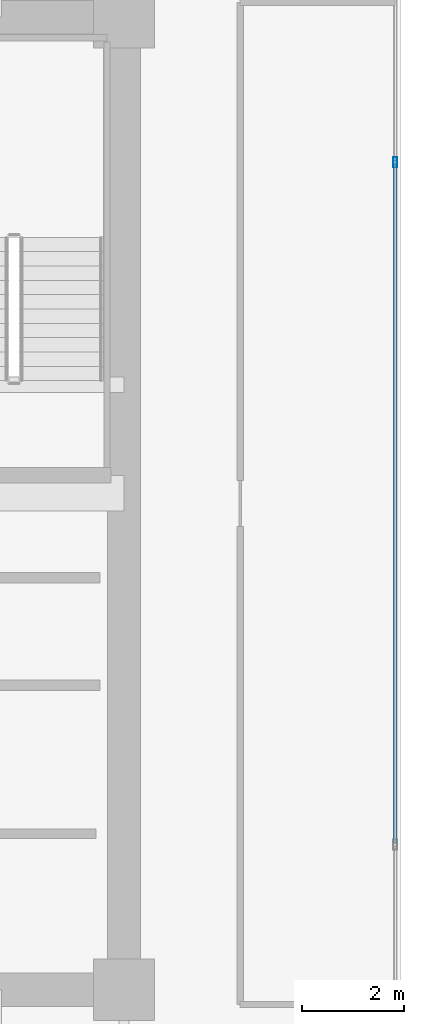
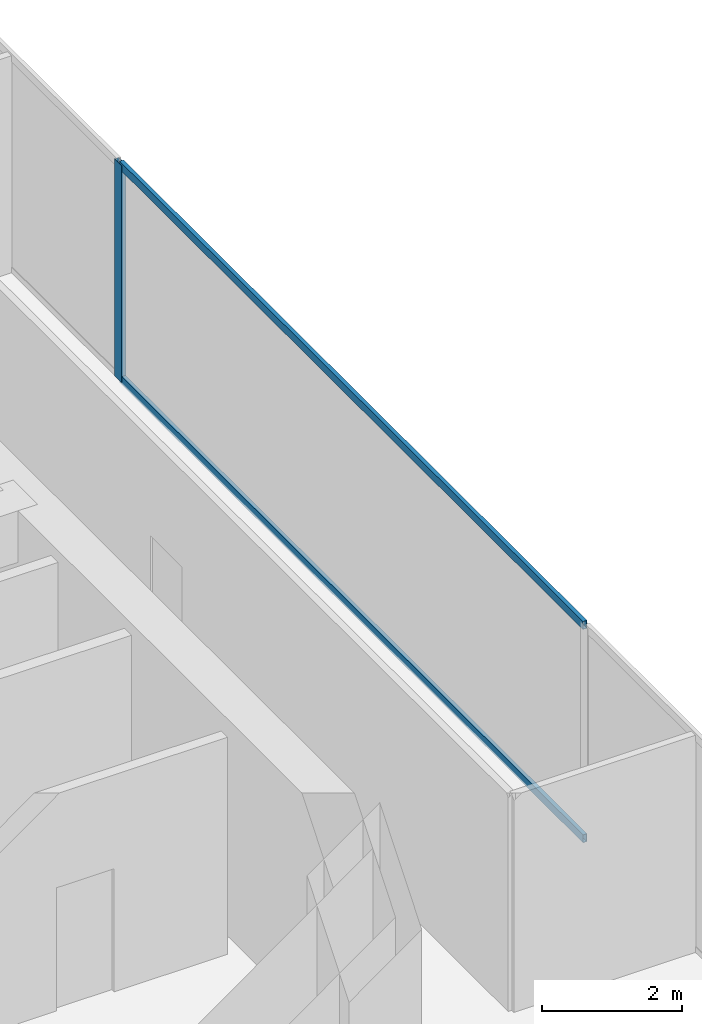
# One storey, part 22 of 30: 3 members, 1 element without a shape of its own.
"""IFC4 building model written with IfcOpenShell, lengths in metres."""

from ifc_helpers import new_model, si_unit, direction, frame, origin, origin_2d, place, context, subcontext, project, spatial, hollow_rectangle, extrude, source, transform, mapped, material, layer, layer_set, material_profile, profile_set, type_object, type_shapes, element, aggregate, save


model = new_model("IFC4")

# Units and contexts
model_context = context("Model", 3, precision=1e-05, world=origin(), true_north=direction((0.0, 1.0)))
body_context = subcontext(model_context, "Body", "Model", "MODEL_VIEW")
ifc_project = project(units=[si_unit("LENGTHUNIT", "METRE"), si_unit("AREAUNIT", "SQUARE_METRE"), si_unit("VOLUMEUNIT", "CUBIC_METRE"), si_unit("PLANEANGLEUNIT", "RADIAN"), si_unit("MASSUNIT", "GRAM", prefix="KILO")], contexts=[model_context])

# Site, building, storey
site_placement = place(None, origin())
site = spatial("IfcSite", under=ifc_project, at=site_placement, CompositionType="ELEMENT")
building_placement = place(site_placement, origin())
building = spatial("IfcBuilding", under=site, at=building_placement, Name="Haelvirn Gate Laboratories", CompositionType="ELEMENT")
storey_placement = place(building_placement, frame((0.0, 0.0, 129.699951171875)))
storey = spatial("IfcBuildingStorey", under=building, at=storey_placement, Name="L31", CompositionType="ELEMENT", Elevation=129.699951171875)

# Curtain wall, members
ifc_material_1 = material(Name="Anodised bronze unitised aluminium & triple low-E glass", Category="aluminium")
ifc_layer = layer(ifc_material_1, 0.179931640625, Name="CW-SYS-3")
ifc_layer_set = layer_set([ifc_layer], Name="Anodised bronze unitised aluminium & triple low-E glass")
curtain_wall_type = type_object("IfcCurtainWallType", Name="CW-SYS-3", PredefinedType="NOTDEFINED", material=ifc_layer_set)
curtain_wall_placement = place(storey_placement, origin())
curtain_wall = element("IfcCurtainWall", 1, at=curtain_wall_placement, inside=storey, type_object=curtain_wall_type, Name="L31 Unitised Curtain Wall CW-L31-P0-E07", PredefinedType="NOTDEFINED")
ifc_material_2 = material(Name="Extruded aluminium 6063-T6 (anodised bronze)", Category="aluminium")
ifc_material_profile_1 = material_profile(ifc_material_2, hollow_rectangle(XDim=0.06494140625, YDim=0.139892578125, WallThickness=0.00390625, at=origin_2d()), Name="CWT-140x65x4")
ifc_profile_set_1 = profile_set([ifc_material_profile_1], Name="Extruded aluminium 6063-T6 (anodised bronze)")
member_type_1 = type_object("IfcMemberType", Name="CWT-T140", PredefinedType="USERDEFINED", material=ifc_profile_set_1)
shared_shape_1 = source(origin(), body_context, "Body", "SweptSolid", [
    extrude(hollow_rectangle(XDim=0.06494140625, YDim=0.139892578125, WallThickness=0.00390625, at=origin_2d()), origin(), (0.0, 0.0, 1.0), 13.25830078125),
])
type_shapes(member_type_1, [shared_shape_1])
member_1_placement = place(storey_placement, frame((72.699951171875, 17.6708984375, 0.032470703125), z_axis=(0.0, 1.0, 0.0), x_axis=(-1.0, 0.0, 0.0)))
member_1 = element("IfcMember", 2, at=member_1_placement, type_object=member_type_1, Name="CW3 transom 2.1", ObjectType="TRANSOM", PredefinedType="USERDEFINED", context=body_context, shape_type="MappedRepresentation", body=[
    mapped(shared_shape_1, transform((0.0, 0.0, 0.0), scale=1.0)),
])
member_2_placement = place(storey_placement, frame((72.699951171875, 17.6708984375, 3.757568359375), z_axis=(0.0, 1.0, 0.0), x_axis=(-1.0, 0.0, 0.0)))
member_2 = element("IfcMember", 3, at=member_2_placement, type_object=member_type_1, Name="CW3 transom 2.2", ObjectType="TRANSOM", PredefinedType="USERDEFINED", context=body_context, shape_type="MappedRepresentation", body=[
    mapped(shared_shape_1, transform((0.0, 0.0, 0.0), scale=1.0)),
])
ifc_material_profile_2 = material_profile(ifc_material_2, hollow_rectangle(XDim=0.074951171875, YDim=0.199951171875, WallThickness=0.0048828125, at=origin_2d()), Name="CWM-200x75x5")
ifc_profile_set_2 = profile_set([ifc_material_profile_2], Name="Extruded aluminium 6063-T6 (anodised bronze)")
member_type_2 = type_object("IfcMemberType", Name="CWM-T200", PredefinedType="MULLION", material=ifc_profile_set_2)
shared_shape_2 = source(origin(), body_context, "Body", "SweptSolid", [
    extrude(hollow_rectangle(XDim=0.074951171875, YDim=0.199951171875, WallThickness=0.0048828125, at=origin_2d()), origin(), (0.0, 0.0, 1.0), 3.7900390625),
])
type_shapes(member_type_2, [shared_shape_2])
member_3_placement = place(storey_placement, frame((72.699951171875, 30.966552734375, 0.0), z_axis=(0.0, 0.0, 1.0), x_axis=(-1.0, 0.0, 0.0)))
member_3 = element("IfcMember", 4, at=member_3_placement, type_object=member_type_2, Name="CW3 mullion 3", PredefinedType="MULLION", context=body_context, shape_type="MappedRepresentation", body=[
    mapped(shared_shape_2, transform((0.0, 0.0, 0.0), scale=1.0)),
])
aggregate(curtain_wall, [member_3, member_1, member_2])

save(model, "model.ifc")
